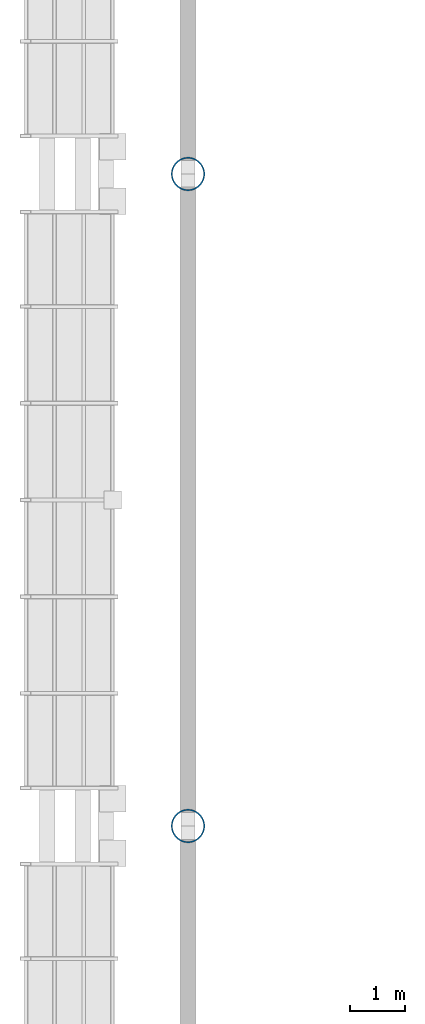
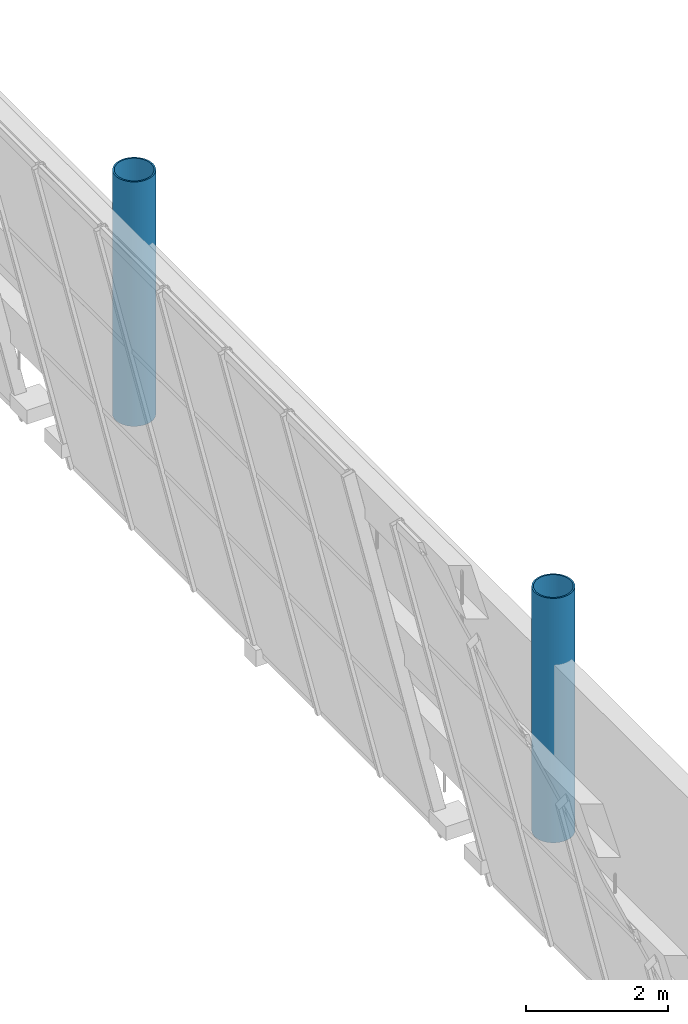
# One storey, part 2 of 157: 2 columns.
"""IFC4 building model written with IfcOpenShell, lengths in metres."""

from ifc_helpers import new_model, si_unit, direction, frame, origin, origin_2d, place, context, subcontext, project, spatial, hollow_circle, extrude, material, material_profile, profile_set, type_object, element, save


model = new_model("IFC4")

# Units and contexts
model_context = context("Model", 3, precision=1e-05, world=origin(), true_north=direction((0.0, 1.0)))
body_context = subcontext(model_context, "Body", "Model", "MODEL_VIEW")
ifc_project = project(units=[si_unit("LENGTHUNIT", "METRE"), si_unit("AREAUNIT", "SQUARE_METRE"), si_unit("VOLUMEUNIT", "CUBIC_METRE"), si_unit("PLANEANGLEUNIT", "RADIAN"), si_unit("MASSUNIT", "GRAM", prefix="KILO")], contexts=[model_context])

# Site, building, storey
site_placement = place(None, origin())
site = spatial("IfcSite", under=ifc_project, at=site_placement, CompositionType="ELEMENT")
building_placement = place(site_placement, origin())
building = spatial("IfcBuilding", under=site, at=building_placement, Name="Brelvane Convention Centre", CompositionType="ELEMENT")
storey_placement = place(building_placement, frame((0.0, 0.0, 10.800048828125)))
storey = spatial("IfcBuildingStorey", under=building, at=storey_placement, Name="L02", CompositionType="ELEMENT", Elevation=10.800048828125)

# Columns
ifc_material = material(Name="Steel E450 (450 MPa)", Category="steel")
ifc_material_profile = material_profile(ifc_material, hollow_circle(Radius=0.304931640625, WallThickness=0.02490234375, at=origin_2d()), Name="CHS 610.0x25.0")
ifc_profile_set = profile_set([ifc_material_profile], Name="Steel E450 (450 MPa)")
column_type = type_object("IfcColumnType", Name="Steel Column C-ST1 (CHS 610.0x25.0)", PredefinedType="COLUMN", material=ifc_profile_set)
for number, where, z_axis, x_axis, name in (
    (1, (0.0, 52.39990234375, 0.0), (0.0, 0.0, 1.0), (1.0, 0.0, 0.0), "Column 1-F (L02)"),
    (2, (0.0, 64.199951171875, 0.0), (0.0, 0.0, 1.0), (1.0, 0.0, 0.0), "Column 1-G (L02)"),
):
    element("IfcColumn", number, at=place(storey_placement, frame(where, z_axis=z_axis, x_axis=x_axis)), inside=storey, type_object=column_type, Name=name, PredefinedType="COLUMN", context=body_context, shape_type="SweptSolid", body=[
        extrude(hollow_circle(Radius=0.304931640625, WallThickness=0.02490234375, at=origin_2d()), origin(), (0.0, 0.0, 1.0), 4.199951171875),
    ])

save(model, "model.ifc")
